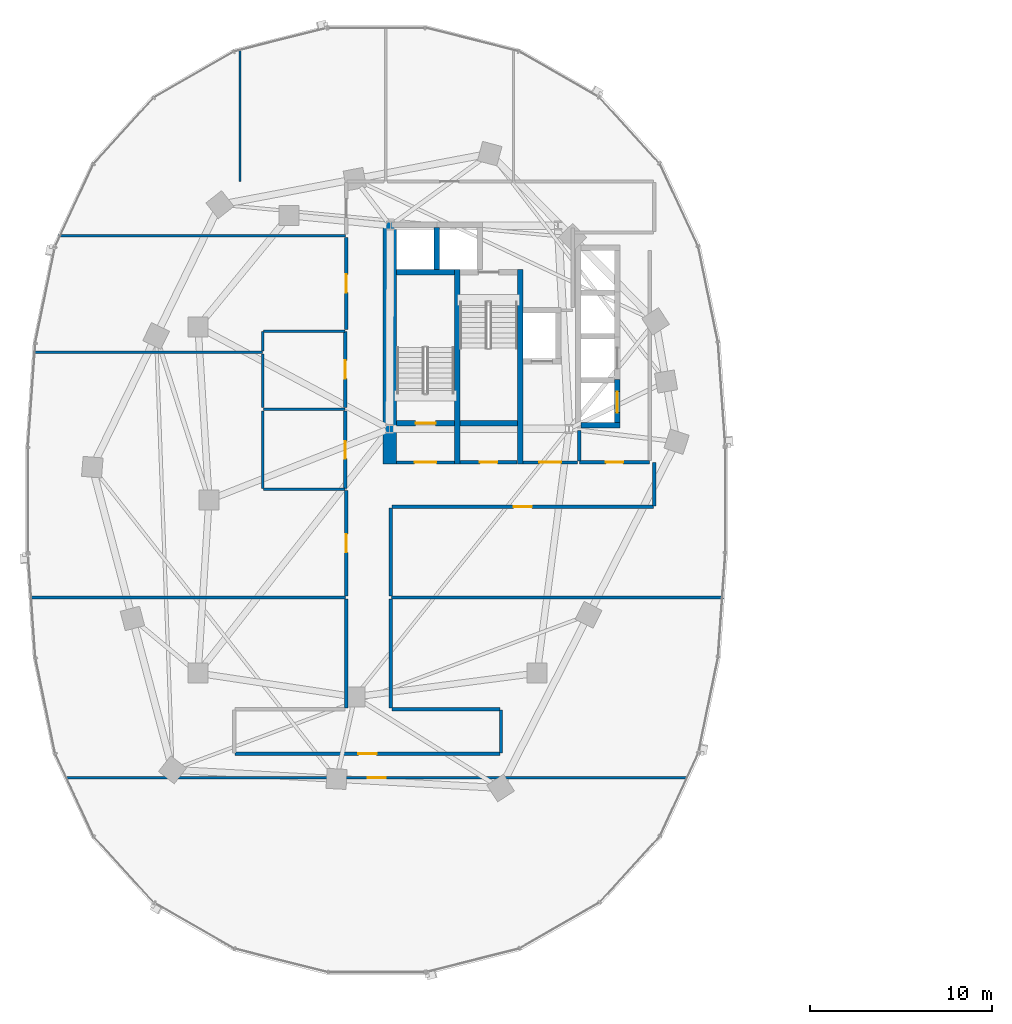
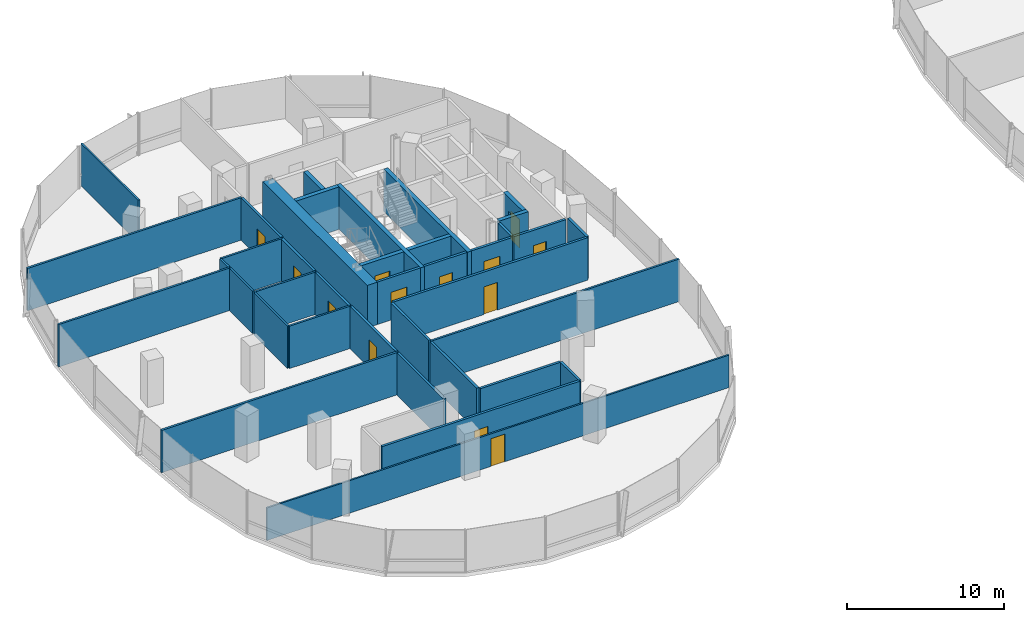
# One storey, part 11 of 21: 38 walls, 13 doors, 13 openings.
"""IFC4 building model written with IfcOpenShell, lengths in metres."""

from ifc_helpers import new_model, si_unit, direction, frame, frame_2d, origin, place, context, subcontext, project, spatial, rectangle, extrude, material, layer, layer_set, type_object, element, fill, save


model = new_model("IFC4")

# Units and contexts
model_context = context("Model", 3, precision=1e-05, world=origin(), true_north=direction((0.0, 1.0)))
body_context = subcontext(model_context, "Body", "Model", "MODEL_VIEW")
ifc_project = project(units=[si_unit("LENGTHUNIT", "METRE"), si_unit("AREAUNIT", "SQUARE_METRE"), si_unit("VOLUMEUNIT", "CUBIC_METRE"), si_unit("PLANEANGLEUNIT", "RADIAN"), si_unit("MASSUNIT", "GRAM", prefix="KILO"), si_unit("THERMODYNAMICTEMPERATUREUNIT", "KELVIN"), si_unit("POWERUNIT", "WATT")], contexts=[model_context])

# Site, building, storey
site_placement = place(None, origin())
site = spatial("IfcSite", under=ifc_project, at=site_placement, CompositionType="ELEMENT")
building_placement = place(site_placement, origin())
building = spatial("IfcBuilding", under=site, at=building_placement, Name="Cundina Bronze Exchange", CompositionType="ELEMENT")
storey_placement = place(building_placement, frame((0.0, 0.0, 121.39990234375)))
storey = spatial("IfcBuildingStorey", under=building, at=storey_placement, Name="L31", CompositionType="ELEMENT", Elevation=121.39990234375)

# Wall
ifc_material_1 = material(Name="Gypsum Fireboard Partition EI120")
ifc_layer_1 = layer(ifc_material_1, 0.179931640625, Name="Gypsum Fireboard Partition EI120")
ifc_layer_set_1 = layer_set([ifc_layer_1], Name="Gypsum Fireboard Partition EI120")
wall_type_1 = type_object("IfcWallType", Name="WL-COR-180", PredefinedType="PARTITIONING", material=ifc_layer_set_1)
wall_1_placement = place(storey_placement, frame((-20.889892578125, 2.14990234375, 0.0), z_axis=(0.0, 0.0, 1.0), x_axis=(0.0, 1.0, 0.0)))
element("IfcWall", 1, at=wall_1_placement, inside=storey, type_object=wall_type_1, Name="L31 W Firefighting Lobby Side Wall", PredefinedType="PARTITIONING", context=body_context, shape_type="SweptSolid", body=[
    extrude(rectangle(XDim=1.650146484375, YDim=0.179931640625, at=frame_2d((0.8251953125, 0.0))), origin(), (0.0, 0.0, 1.0), 3.300048828125),
])

# Wall, opening, door
wall_2_placement = place(storey_placement, frame((-23.97998046875, 2.06005859375, 0.0), z_axis=(0.0, 0.0, 1.0), x_axis=(1.0, 0.0, 0.0)))
wall_2 = element("IfcWall", 2, at=wall_2_placement, inside=storey, type_object=wall_type_1, Name="L31 W Firefighting Lobby Exit Wall", PredefinedType="PARTITIONING", context=body_context, shape_type="SweptSolid", body=[
    extrude(rectangle(XDim=3.0, YDim=0.179931640625, at=frame_2d((1.5, 0.0))), origin(), (0.0, 0.0, 1.0), 3.300048828125),
])
opening_1_placement = place(wall_2_placement, frame((0.89990234375, 0.0, 0.0)))
opening_1 = element("IfcOpeningElement", 3, at=opening_1_placement, cuts=wall_2, Name="Opening DF-01", PredefinedType="OPENING", context=body_context, shape_type="SweptSolid", body=[
    extrude(rectangle(XDim=1.199951171875, YDim=2.14990234375, at=frame_2d((0.60009765625, 1.074951171875))), frame((0.0, 0.099853515625, 0.0), z_axis=(0.0, -1.0, 0.0), x_axis=(1.0, 0.0, 0.0)), (0.0, 0.0, 1.0), 0.199951171875),
])
ifc_material_2 = material(Name="Steel ASTM A36 Painted", Category="steel")
door_type_1 = type_object("IfcDoorType", Name="DR-FFL-1200", OperationType="NOTDEFINED", PredefinedType="DOOR", material=ifc_material_2)
door_1_placement = place(opening_1_placement, origin())
door_1 = element("IfcDoor", 4, at=door_1_placement, inside=storey, type_object=door_type_1, Name="L31 W Firefighting Lobby Door", OperationType="SINGLE_SWING_RIGHT", OverallHeight=2.14990234375, OverallWidth=1.199951171875, PredefinedType="DOOR", context=body_context, shape_type="SweptSolid", body=[
    extrude(rectangle(XDim=1.199951171875, YDim=2.14990234375, at=frame_2d((0.60009765625, 1.074951171875))), frame((0.0, 0.02490234375, 0.0), z_axis=(0.0, -1.0, 0.0), x_axis=(1.0, 0.0, 0.0)), (0.0, 0.0, 1.0), 0.050048828125),
])
fill(opening_1, door_1)

wall_3_placement = place(storey_placement, frame((-30.89990234375, 2.06005859375, 0.0), z_axis=(0.0, 0.0, 1.0), x_axis=(1.0, 0.0, 0.0)))
wall_3 = element("IfcWall", 5, at=wall_3_placement, inside=storey, type_object=wall_type_1, Name="L31 W Stair Vestibule Exit Wall", PredefinedType="PARTITIONING", context=body_context, shape_type="SweptSolid", body=[
    extrude(rectangle(XDim=3.159912109375, YDim=0.179931640625, at=frame_2d((1.580078125, 0.0))), origin(), (0.0, 0.0, 1.0), 3.300048828125),
])
opening_2_placement = place(wall_3_placement, frame((0.97998046875, 0.0, 0.0)))
opening_2 = element("IfcOpeningElement", 6, at=opening_2_placement, cuts=wall_3, Name="Opening DF-01", PredefinedType="OPENING", context=body_context, shape_type="SweptSolid", body=[
    extrude(rectangle(XDim=1.199951171875, YDim=2.14990234375, at=frame_2d((0.60009765625, 1.074951171875))), frame((0.0, 0.099853515625, 0.0), z_axis=(0.0, -1.0, 0.0), x_axis=(1.0, 0.0, 0.0)), (0.0, 0.0, 1.0), 0.199951171875),
])
door_2_placement = place(opening_2_placement, origin())
door_2 = element("IfcDoor", 7, at=door_2_placement, inside=storey, type_object=door_type_1, Name="L31 W Stair Vestibule Door", OperationType="SINGLE_SWING_LEFT", OverallHeight=2.14990234375, OverallWidth=1.199951171875, PredefinedType="DOOR", context=body_context, shape_type="SweptSolid", body=[
    extrude(rectangle(XDim=1.199951171875, YDim=2.14990234375, at=frame_2d((0.60009765625, 1.074951171875))), frame((0.0, 0.02490234375, 0.0), z_axis=(0.0, -1.0, 0.0), x_axis=(1.0, 0.0, 0.0)), (0.0, 0.0, 1.0), 0.050048828125),
])
fill(opening_2, door_2)

wall_4_placement = place(storey_placement, frame((-20.8701171875, 2.070068359375, 0.0), z_axis=(0.0, 0.0, 1.0), x_axis=(1.0, 0.0, 0.0)))
wall_4 = element("IfcWall", 8, at=wall_4_placement, inside=storey, type_object=wall_type_1, Name="L31 Interior Partition 002", PredefinedType="PARTITIONING", context=body_context, shape_type="SweptSolid", body=[
    extrude(rectangle(XDim=3.830078125, YDim=0.179931640625, at=frame_2d((1.9150390625, 0.0))), origin(), (0.0, 0.0, 1.0), 3.300048828125),
])
opening_3_placement = place(wall_4_placement, frame((1.43994140625, 0.0, 0.0)))
opening_3 = element("IfcOpeningElement", 9, at=opening_3_placement, cuts=wall_4, Name="Opening DW-01", PredefinedType="OPENING", context=body_context, shape_type="SweptSolid", body=[
    extrude(rectangle(XDim=0.949951171875, YDim=2.10009765625, at=frame_2d((0.47509765625, 1.050048828125))), frame((0.0, 0.099853515625, 0.0), z_axis=(0.0, -1.0, 0.0), x_axis=(1.0, 0.0, 0.0)), (0.0, 0.0, 1.0), 0.199951171875),
])
ifc_material_3 = material(Name="Solid Andean Oak Timber Grade A", Category="wood")
door_type_2 = type_object("IfcDoorType", Name="DR-WC-950", OperationType="NOTDEFINED", PredefinedType="DOOR", material=ifc_material_3)
door_3_placement = place(opening_3_placement, origin())
door_3 = element("IfcDoor", 10, at=door_3_placement, inside=storey, type_object=door_type_2, Name="L31 Interior Door 002", OperationType="SINGLE_SWING_LEFT", OverallHeight=2.10009765625, OverallWidth=0.949951171875, PredefinedType="DOOR", context=body_context, shape_type="SweptSolid", body=[
    extrude(rectangle(XDim=0.949951171875, YDim=2.10009765625, at=frame_2d((0.47509765625, 1.050048828125))), frame((0.0, 0.02490234375, 0.0), z_axis=(0.0, -1.0, 0.0), x_axis=(1.0, 0.0, 0.0)), (0.0, 0.0, 1.0), 0.050048828125),
])
fill(opening_3, door_3)

wall_5_placement = place(storey_placement, frame((-27.419921875, 2.070068359375, 0.0), z_axis=(0.0, 0.0, 1.0), x_axis=(1.0, 0.0, 0.0)))
wall_5 = element("IfcWall", 11, at=wall_5_placement, inside=storey, type_object=wall_type_1, Name="L31 Interior Partition 005", PredefinedType="PARTITIONING", context=body_context, shape_type="SweptSolid", body=[
    extrude(rectangle(XDim=3.119873046875, YDim=0.179931640625, at=frame_2d((1.56005859375, 0.0))), origin(), (0.0, 0.0, 1.0), 3.300048828125),
])
opening_4_placement = place(wall_5_placement, frame((1.0849609375, 0.0, 0.0)))
opening_4 = element("IfcOpeningElement", 12, at=opening_4_placement, cuts=wall_5, Name="Opening DW-01", PredefinedType="OPENING", context=body_context, shape_type="SweptSolid", body=[
    extrude(rectangle(XDim=0.949951171875, YDim=2.10009765625, at=frame_2d((0.47509765625, 1.050048828125))), frame((0.0, 0.099853515625, 0.0), z_axis=(0.0, -1.0, 0.0), x_axis=(1.0, 0.0, 0.0)), (0.0, 0.0, 1.0), 0.199951171875),
])
door_4_placement = place(opening_4_placement, origin())
door_4 = element("IfcDoor", 13, at=door_4_placement, inside=storey, type_object=door_type_2, Name="L31 Interior Door 005", OperationType="SINGLE_SWING_RIGHT", OverallHeight=2.10009765625, OverallWidth=0.949951171875, PredefinedType="DOOR", context=body_context, shape_type="SweptSolid", body=[
    extrude(rectangle(XDim=0.949951171875, YDim=2.10009765625, at=frame_2d((0.47509765625, 1.050048828125))), frame((0.0, 0.02490234375, 0.0), z_axis=(0.0, -1.0, 0.0), x_axis=(1.0, 0.0, 0.0)), (0.0, 0.0, 1.0), 0.050048828125),
])
fill(opening_4, door_4)

wall_6_placement = place(storey_placement, frame((-33.719970703125, 0.6201171875, 0.0), z_axis=(0.0, 0.0, 1.0), x_axis=(0.0, 1.0, 0.0)))
wall_6 = element("IfcWall", 14, at=wall_6_placement, inside=storey, type_object=wall_type_1, Name="L31 Interior Partition 012", PredefinedType="PARTITIONING", context=body_context, shape_type="SweptSolid", body=[
    extrude(rectangle(XDim=4.259765625, YDim=0.179931640625, at=frame_2d((2.1298828125, 0.0))), origin(), (0.0, 0.0, 1.0), 3.300048828125),
])
opening_5_placement = place(wall_6_placement, frame((1.655029296875, 0.0, 0.0)))
opening_5 = element("IfcOpeningElement", 15, at=opening_5_placement, cuts=wall_6, Name="Opening DW-01", PredefinedType="OPENING", context=body_context, shape_type="SweptSolid", body=[
    extrude(rectangle(XDim=0.949951171875, YDim=2.10009765625, at=frame_2d((0.47509765625, 1.050048828125))), frame((0.0, 0.099853515625, 0.0), z_axis=(0.0, -1.0, 0.0), x_axis=(1.0, 0.0, 0.0)), (0.0, 0.0, 1.0), 0.199951171875),
])
door_5_placement = place(opening_5_placement, origin())
door_5 = element("IfcDoor", 16, at=door_5_placement, inside=storey, type_object=door_type_2, Name="L31 Interior Door 012", OperationType="SINGLE_SWING_LEFT", OverallHeight=2.10009765625, OverallWidth=0.949951171875, PredefinedType="DOOR", context=body_context, shape_type="SweptSolid", body=[
    extrude(rectangle(XDim=0.949951171875, YDim=2.10009765625, at=frame_2d((0.47509765625, 1.050048828125))), frame((0.0, 0.02490234375, 0.0), z_axis=(0.0, -1.0, 0.0), x_axis=(1.0, 0.0, 0.0)), (0.0, 0.0, 1.0), 0.050048828125),
])
fill(opening_5, door_5)

wall_7_placement = place(storey_placement, frame((-33.719970703125, 5.080078125, 0.0), z_axis=(0.0, 0.0, 1.0), x_axis=(0.0, 1.0, 0.0)))
wall_7 = element("IfcWall", 17, at=wall_7_placement, inside=storey, type_object=wall_type_1, Name="L31 Interior Partition 013", PredefinedType="PARTITIONING", context=body_context, shape_type="SweptSolid", body=[
    extrude(rectangle(XDim=4.159912109375, YDim=0.179931640625, at=frame_2d((2.080078125, 0.0))), origin(), (0.0, 0.0, 1.0), 3.300048828125),
])
opening_6_placement = place(wall_7_placement, frame((1.580078125, 0.0, 0.0)))
opening_6 = element("IfcOpeningElement", 18, at=opening_6_placement, cuts=wall_7, Name="Opening DO-01", PredefinedType="OPENING", context=body_context, shape_type="SweptSolid", body=[
    extrude(rectangle(XDim=1.0, YDim=2.14990234375, at=frame_2d((0.5, 1.074951171875))), frame((0.0, 0.099853515625, 0.0), z_axis=(0.0, -1.0, 0.0), x_axis=(1.0, 0.0, 0.0)), (0.0, 0.0, 1.0), 0.199951171875),
])
door_type_3 = type_object("IfcDoorType", Name="DR-OFF-1000", OperationType="NOTDEFINED", PredefinedType="DOOR", material=ifc_material_3)
door_6_placement = place(opening_6_placement, origin())
door_6 = element("IfcDoor", 19, at=door_6_placement, inside=storey, type_object=door_type_3, Name="L31 Interior Door 013", OperationType="SINGLE_SWING_LEFT", OverallHeight=2.14990234375, OverallWidth=1.0, PredefinedType="DOOR", context=body_context, shape_type="SweptSolid", body=[
    extrude(rectangle(XDim=1.0, YDim=2.14990234375, at=frame_2d((0.5, 1.074951171875))), frame((0.0, 0.02490234375, 0.0), z_axis=(0.0, -1.0, 0.0), x_axis=(1.0, 0.0, 0.0)), (0.0, 0.0, 1.0), 0.050048828125),
])
fill(opening_6, door_6)

wall_8_placement = place(storey_placement, frame((-39.778564453125, -13.919921875, 0.0), z_axis=(0.0, 0.0, 1.0), x_axis=(1.0, 0.0, 0.0)))
wall_8 = element("IfcWall", 20, at=wall_8_placement, inside=storey, type_object=wall_type_1, Name="L31 Interior Partition 021", PredefinedType="PARTITIONING", context=body_context, shape_type="SweptSolid", body=[
    extrude(rectangle(XDim=14.55712890625, YDim=0.179931640625, at=frame_2d((7.278564453125, 0.0))), origin(), (0.0, 0.0, 1.0), 3.300048828125),
])
opening_7_placement = place(wall_8_placement, frame((6.778564453125, 0.0, 0.0)))
opening_7 = element("IfcOpeningElement", 21, at=opening_7_placement, cuts=wall_8, Name="Opening DO-01", PredefinedType="OPENING", context=body_context, shape_type="SweptSolid", body=[
    extrude(rectangle(XDim=1.0, YDim=2.14990234375, at=frame_2d((0.5, 1.074951171875))), frame((0.0, 0.099853515625, 0.0), z_axis=(0.0, -1.0, 0.0), x_axis=(1.0, 0.0, 0.0)), (0.0, 0.0, 1.0), 0.199951171875),
])
door_7_placement = place(opening_7_placement, origin())
door_7 = element("IfcDoor", 22, at=door_7_placement, inside=storey, type_object=door_type_3, Name="L31 Interior Door 021", OperationType="SINGLE_SWING_RIGHT", OverallHeight=2.14990234375, OverallWidth=1.0, PredefinedType="DOOR", context=body_context, shape_type="SweptSolid", body=[
    extrude(rectangle(XDim=1.0, YDim=2.14990234375, at=frame_2d((0.5, 1.074951171875))), frame((0.0, 0.02490234375, 0.0), z_axis=(0.0, -1.0, 0.0), x_axis=(1.0, 0.0, 0.0)), (0.0, 0.0, 1.0), 0.050048828125),
])
fill(opening_7, door_7)

# Walls
for number, where, z_axis, x_axis, name in (
    (23, (-33.669921875, -5.43994140625, 0.0), (0.0, 0.0, 1.0), (0.0, -1.0, 0.0), "L31 Interior Partition 023"),
    (24, (-31.22998046875, -11.39990234375, 0.0), (0.0, 0.0, 1.0), (0.0, 1.0, 0.0), "L31 Interior Partition 024"),
):
    element("IfcWall", number, at=place(storey_placement, frame(where, z_axis=z_axis, x_axis=x_axis)), inside=storey, type_object=wall_type_1, Name=name, PredefinedType="PARTITIONING", context=body_context, shape_type="SweptSolid", body=[
        extrude(rectangle(XDim=5.9599609375, YDim=0.179931640625, at=frame_2d((2.97998046875, 0.0))), origin(), (0.0, 0.0, 1.0), 3.300048828125),
    ])
wall_9_placement = place(storey_placement, frame((-25.221435546875, -11.47998046875, 0.0), z_axis=(0.0, 0.0, 1.0), x_axis=(-1.0, 0.0, 0.0)))
element("IfcWall", 25, at=wall_9_placement, inside=storey, type_object=wall_type_1, Name="L31 Interior Partition 025", PredefinedType="PARTITIONING", context=body_context, shape_type="SweptSolid", body=[
    extrude(rectangle(XDim=5.928466796875, YDim=0.179931640625, at=frame_2d((2.96435546875, 0.0))), origin(), (0.0, 0.0, 1.0), 3.300048828125),
])
wall_10_placement = place(storey_placement, frame((-25.179931640625, -13.87841796875, 0.0), z_axis=(0.0, 0.0, 1.0), x_axis=(0.0, 1.0, 0.0)))
element("IfcWall", 26, at=wall_10_placement, inside=storey, type_object=wall_type_1, Name="L31 Interior Partition 027", PredefinedType="PARTITIONING", context=body_context, shape_type="SweptSolid", body=[
    extrude(rectangle(XDim=2.35693359375, YDim=0.179931640625, at=frame_2d((1.178466796875, 0.0))), origin(), (0.0, 0.0, 1.0), 3.300048828125),
])

# Wall, opening, door
wall_11_placement = place(storey_placement, frame((-33.669921875, 0.508544921875, 0.0), z_axis=(0.0, 0.0, 1.0), x_axis=(0.0, -1.0, 0.0)))
wall_11 = element("IfcWall", 27, at=wall_11_placement, inside=storey, type_object=wall_type_1, Name="L31 Interior Partition 028", PredefinedType="PARTITIONING", context=body_context, shape_type="SweptSolid", body=[
    extrude(rectangle(XDim=5.7685546875, YDim=0.179931640625, at=frame_2d((2.88427734375, 0.0))), origin(), (0.0, 0.0, 1.0), 3.300048828125),
])
opening_8_placement = place(wall_11_placement, frame((2.38427734375, 0.0, 0.0)))
opening_8 = element("IfcOpeningElement", 28, at=opening_8_placement, cuts=wall_11, Name="Opening DO-01", PredefinedType="OPENING", context=body_context, shape_type="SweptSolid", body=[
    extrude(rectangle(XDim=1.0, YDim=2.14990234375, at=frame_2d((0.5, 1.074951171875))), frame((0.0, 0.099853515625, 0.0), z_axis=(0.0, -1.0, 0.0), x_axis=(1.0, 0.0, 0.0)), (0.0, 0.0, 1.0), 0.199951171875),
])
door_8_placement = place(opening_8_placement, origin())
door_8 = element("IfcDoor", 29, at=door_8_placement, inside=storey, type_object=door_type_3, Name="L31 Interior Door 028", OperationType="SINGLE_SWING_LEFT", OverallHeight=2.14990234375, OverallWidth=1.0, PredefinedType="DOOR", context=body_context, shape_type="SweptSolid", body=[
    extrude(rectangle(XDim=1.0, YDim=2.14990234375, at=frame_2d((0.5, 1.074951171875))), frame((0.0, 0.02490234375, 0.0), z_axis=(0.0, -1.0, 0.0), x_axis=(1.0, 0.0, 0.0)), (0.0, 0.0, 1.0), 0.050048828125),
])
fill(opening_8, door_8)

wall_12_placement = place(storey_placement, frame((-31.14990234375, -0.3701171875, 0.0), z_axis=(0.0, 0.0, 1.0), x_axis=(1.0, 0.0, 0.0)))
wall_12 = element("IfcWall", 30, at=wall_12_placement, inside=storey, type_object=wall_type_1, Name="L31 Interior Partition 029", PredefinedType="PARTITIONING", context=body_context, shape_type="SweptSolid", body=[
    extrude(rectangle(XDim=14.328369140625, YDim=0.179931640625, at=frame_2d((7.1640625, 0.0))), origin(), (0.0, 0.0, 1.0), 3.300048828125),
])
opening_9_placement = place(wall_12_placement, frame((6.664306640625, 0.0, 0.0)))
opening_9 = element("IfcOpeningElement", 31, at=opening_9_placement, cuts=wall_12, Name="Opening DO-01", PredefinedType="OPENING", context=body_context, shape_type="SweptSolid", body=[
    extrude(rectangle(XDim=1.0, YDim=2.14990234375, at=frame_2d((0.5, 1.074951171875))), frame((0.0, 0.099853515625, 0.0), z_axis=(0.0, -1.0, 0.0), x_axis=(1.0, 0.0, 0.0)), (0.0, 0.0, 1.0), 0.199951171875),
])
door_9_placement = place(opening_9_placement, origin())
door_9 = element("IfcDoor", 32, at=door_9_placement, inside=storey, type_object=door_type_3, Name="L31 Interior Door 029", OperationType="SINGLE_SWING_RIGHT", OverallHeight=2.14990234375, OverallWidth=1.0, PredefinedType="DOOR", context=body_context, shape_type="SweptSolid", body=[
    extrude(rectangle(XDim=1.0, YDim=2.14990234375, at=frame_2d((0.5, 1.074951171875))), frame((0.0, 0.02490234375, 0.0), z_axis=(0.0, -1.0, 0.0), x_axis=(1.0, 0.0, 0.0)), (0.0, 0.0, 1.0), 0.050048828125),
])
fill(opening_9, door_9)

# Walls
wall_13_placement = place(storey_placement, frame((-31.22998046875, -5.260009765625, 0.0), z_axis=(0.0, 0.0, 1.0), x_axis=(0.0, 1.0, 0.0)))
element("IfcWall", 33, at=wall_13_placement, inside=storey, type_object=wall_type_1, Name="L31 Interior Partition 031", PredefinedType="PARTITIONING", context=body_context, shape_type="SweptSolid", body=[
    extrude(rectangle(XDim=4.81005859375, YDim=0.179931640625, at=frame_2d((2.405029296875, 0.0))), origin(), (0.0, 0.0, 1.0), 3.300048828125),
])
wall_14_placement = place(storey_placement, frame((-16.780029296875, -0.32861328125, 0.0), z_axis=(0.0, 0.0, 1.0), x_axis=(0.0, 1.0, 0.0)))
element("IfcWall", 34, at=wall_14_placement, inside=storey, type_object=wall_type_1, Name="L31 Interior Partition 034", PredefinedType="PARTITIONING", context=body_context, shape_type="SweptSolid", body=[
    extrude(rectangle(XDim=2.38720703125, YDim=0.179931640625, at=frame_2d((1.193603515625, 0.0))), origin(), (0.0, 0.0, 1.0), 3.300048828125),
])

# Wall, opening, door
wall_15_placement = place(storey_placement, frame((-33.669921875, 14.409912109375, 0.0), z_axis=(0.0, 0.0, 1.0), x_axis=(0.0, -1.0, 0.0)))
wall_15 = element("IfcWall", 35, at=wall_15_placement, inside=storey, type_object=wall_type_1, Name="L31 Interior Partition 035", PredefinedType="PARTITIONING", context=body_context, shape_type="SweptSolid", body=[
    extrude(rectangle(XDim=5.05859375, YDim=0.179931640625, at=frame_2d((2.529296875, 0.0))), origin(), (0.0, 0.0, 1.0), 3.300048828125),
])
opening_10_placement = place(wall_15_placement, frame((2.029296875, 0.0, 0.0)))
opening_10 = element("IfcOpeningElement", 36, at=opening_10_placement, cuts=wall_15, Name="Opening DO-01", PredefinedType="OPENING", context=body_context, shape_type="SweptSolid", body=[
    extrude(rectangle(XDim=1.0, YDim=2.14990234375, at=frame_2d((0.5, 1.074951171875))), frame((0.0, 0.099853515625, 0.0), z_axis=(0.0, -1.0, 0.0), x_axis=(1.0, 0.0, 0.0)), (0.0, 0.0, 1.0), 0.199951171875),
])
door_10_placement = place(opening_10_placement, origin())
door_10 = element("IfcDoor", 37, at=door_10_placement, inside=storey, type_object=door_type_3, Name="L31 Interior Door 035", OperationType="SINGLE_SWING_LEFT", OverallHeight=2.14990234375, OverallWidth=1.0, PredefinedType="DOOR", context=body_context, shape_type="SweptSolid", body=[
    extrude(rectangle(XDim=1.0, YDim=2.14990234375, at=frame_2d((0.5, 1.074951171875))), frame((0.0, 0.02490234375, 0.0), z_axis=(0.0, -1.0, 0.0), x_axis=(1.0, 0.0, 0.0)), (0.0, 0.0, 1.0), 0.050048828125),
])
fill(opening_10, door_10)

# Walls
ifc_material_4 = material(Name="Concrete C60/75", Category="concrete")
ifc_layer_2 = layer(ifc_material_4, 0.75, Name="Concrete C60/75", Category="concrete")
ifc_layer_set_2 = layer_set([ifc_layer_2], Name="Concrete C60/75")
wall_type_2 = type_object("IfcWallType", Name="WL-CORE-750", PredefinedType="SHEAR", material=ifc_layer_set_2)
wall_16_placement = place(storey_placement, frame((-31.27490234375, 1.969970703125, 0.0), z_axis=(0.0, 0.0, 1.0), x_axis=(0.0, 1.0, 0.0)))
element("IfcWall", 38, at=wall_16_placement, inside=storey, type_object=wall_type_2, Name="L31 W Primary Core Shear Spine Wall", PredefinedType="SHEAR", context=body_context, shape_type="SweptSolid", body=[
    extrude(rectangle(XDim=13.330078125, YDim=0.75, at=frame_2d((6.6650390625, 0.0))), origin(), (0.0, 0.0, 1.0), 3.300048828125),
])
ifc_material_5 = material(Name="Gypsum Acoustic Partition EI60")
ifc_layer_3 = layer(ifc_material_5, 0.125, Name="Gypsum Acoustic Partition EI60")
ifc_layer_set_3 = layer_set([ifc_layer_3], Name="Gypsum Acoustic Partition EI60")
wall_type_3 = type_object("IfcWallType", Name="WL-OFF-125", PredefinedType="PARTITIONING", material=ifc_layer_set_3)
wall_17_placement = place(storey_placement, frame((-39.5, 17.469970703125, 0.0), z_axis=(0.0, 0.0, 1.0), x_axis=(0.0, 1.0, 0.0)))
element("IfcWall", 39, at=wall_17_placement, inside=storey, type_object=wall_type_3, Name="L31 Interior Partition 018", PredefinedType="PARTITIONING", context=body_context, shape_type="SweptSolid", body=[
    extrude(rectangle(XDim=7.30224609375, YDim=0.125, at=frame_2d((3.651123046875, 0.0))), origin(), (0.0, 0.0, 1.0), 3.300048828125),
])

# Wall, opening, door
wall_18_placement = place(storey_placement, frame((-49.005126953125, -15.22998046875, 0.0), z_axis=(0.0, 0.0, 1.0), x_axis=(1.0, 0.0, 0.0)))
wall_18 = element("IfcWall", 40, at=wall_18_placement, inside=storey, type_object=wall_type_3, Name="L31 Interior Partition 039", PredefinedType="PARTITIONING", context=body_context, shape_type="SweptSolid", body=[
    extrude(rectangle(XDim=34.01025390625, YDim=0.125, at=frame_2d((17.005126953125, 0.0))), origin(), (0.0, 0.0, 1.0), 2.527099609375),
])
opening_11_placement = place(wall_18_placement, frame((16.505126953125, 0.0, 0.0)))
opening_11 = element("IfcOpeningElement", 41, at=opening_11_placement, cuts=wall_18, Name="Opening DO-01", PredefinedType="OPENING", context=body_context, shape_type="SweptSolid", body=[
    extrude(rectangle(XDim=1.0, YDim=2.14990234375, at=frame_2d((0.5, 1.074951171875))), frame((0.0, 0.072509765625, 0.0), z_axis=(0.0, -1.0, 0.0), x_axis=(1.0, 0.0, 0.0)), (0.0, 0.0, 1.0), 0.14501953125),
])
door_11_placement = place(opening_11_placement, origin())
door_11 = element("IfcDoor", 42, at=door_11_placement, inside=storey, type_object=door_type_3, Name="L31 Interior Door 039", OperationType="SINGLE_SWING_RIGHT", OverallHeight=2.14990234375, OverallWidth=1.0, PredefinedType="DOOR", context=body_context, shape_type="SweptSolid", body=[
    extrude(rectangle(XDim=1.0, YDim=2.14990234375, at=frame_2d((0.5, 1.074951171875))), frame((0.0, 0.02490234375, 0.0), z_axis=(0.0, -1.0, 0.0), x_axis=(1.0, 0.0, 0.0)), (0.0, 0.0, 1.0), 0.050048828125),
])
fill(opening_11, door_11)

# Walls
ifc_material_6 = material(Name="Concrete C50/60", Category="concrete")
ifc_layer_4 = layer(ifc_material_6, 0.300048828125, Name="Concrete C50/60", Category="concrete")
ifc_layer_set_4 = layer_set([ifc_layer_4], Name="Concrete C50/60")
wall_type_4 = type_object("IfcWallType", Name="WL-SHFT-300", PredefinedType="SHEAR", material=ifc_layer_set_4)
for number, where, z_axis, x_axis, name in (
    (43, (-27.590087890625, 1.969970703125, 0.0), (0.0, 0.0, 1.0), (0.0, 1.0, 0.0), "L31 W Stair Shaft Dividing Shear Wall"),
    (44, (-24.1298828125, 1.969970703125, 0.0), (0.0, 0.0, 1.0), (0.0, 1.0, 0.0), "L31 W Stair 2 East Shear Wall"),
):
    element("IfcWall", number, at=place(storey_placement, frame(where, z_axis=z_axis, x_axis=x_axis)), inside=storey, type_object=wall_type_4, Name=name, PredefinedType="SHEAR", context=body_context, shape_type="SweptSolid", body=[
        extrude(rectangle(XDim=10.679931640625, YDim=0.300048828125, at=frame_2d((5.33984375, 0.0))), origin(), (0.0, 0.0, 1.0), 3.300048828125),
    ])

# Wall, opening, door
wall_19_placement = place(storey_placement, frame((-30.89990234375, 4.199951171875, 0.0), z_axis=(0.0, 0.0, 1.0), x_axis=(1.0, 0.0, 0.0)))
wall_19 = element("IfcWall", 45, at=wall_19_placement, inside=storey, type_object=wall_type_4, Name="L31 Stair W1 Landing Wall", PredefinedType="SHEAR", context=body_context, shape_type="SweptSolid", body=[
    extrude(rectangle(XDim=3.159912109375, YDim=0.300048828125, at=frame_2d((1.580078125, 0.0))), origin(), (0.0, 0.0, 1.0), 3.300048828125),
])
opening_12_placement = place(wall_19_placement, frame((1.030029296875, 0.0, 0.0)))
opening_12 = element("IfcOpeningElement", 46, at=opening_12_placement, cuts=wall_19, Name="Opening DS-01", PredefinedType="OPENING", context=body_context, shape_type="SweptSolid", body=[
    extrude(rectangle(XDim=1.10009765625, YDim=2.14990234375, at=frame_2d((0.550048828125, 1.074951171875))), frame((0.0, 0.159912109375, 0.0), z_axis=(0.0, -1.0, 0.0), x_axis=(1.0, 0.0, 0.0)), (0.0, 0.0, 1.0), 0.320068359375),
])
door_type_4 = type_object("IfcDoorType", Name="DR-STR-1100", OperationType="NOTDEFINED", PredefinedType="DOOR", material=ifc_material_2)
door_12_placement = place(opening_12_placement, origin())
door_12 = element("IfcDoor", 47, at=door_12_placement, inside=storey, type_object=door_type_4, Name="L31 Smokeproof Stair W1 Door", OperationType="SINGLE_SWING_RIGHT", OverallHeight=2.14990234375, OverallWidth=1.10009765625, PredefinedType="DOOR", context=body_context, shape_type="SweptSolid", body=[
    extrude(rectangle(XDim=1.10009765625, YDim=2.14990234375, at=frame_2d((0.550048828125, 1.074951171875))), frame((0.0, 0.02490234375, 0.0), z_axis=(0.0, -1.0, 0.0), x_axis=(1.0, 0.0, 0.0)), (0.0, 0.0, 1.0), 0.050048828125),
])
fill(opening_12, door_12)

# Walls
for number, where, z_axis, x_axis, name in (
    (48, (-30.89990234375, 12.5, 0.0), (0.0, 0.0, 1.0), (1.0, 0.0, 0.0), "L31 Stair W1 Far Shaft Wall"),
    (49, (-27.43994140625, 4.199951171875, 0.0), (0.0, 0.0, 1.0), (1.0, 0.0, 0.0), "L31 Stair W2 Far Shaft Wall"),
):
    element("IfcWall", number, at=place(storey_placement, frame(where, z_axis=z_axis, x_axis=x_axis)), inside=storey, type_object=wall_type_4, Name=name, PredefinedType="SHEAR", context=body_context, shape_type="SweptSolid", body=[
        extrude(rectangle(XDim=3.159912109375, YDim=0.300048828125, at=frame_2d((1.580078125, 0.0))), origin(), (0.0, 0.0, 1.0), 3.300048828125),
    ])
wall_20_placement = place(storey_placement, frame((-28.699951171875, 12.64990234375, 0.0), z_axis=(0.0, 0.0, 1.0), x_axis=(0.0, 1.0, 0.0)))
element("IfcWall", 50, at=wall_20_placement, inside=storey, type_object=wall_type_4, Name="L31 PH-W1 Hoistway Divider Wall", PredefinedType="SHEAR", context=body_context, shape_type="SweptSolid", body=[
    extrude(rectangle(XDim=2.300048828125, YDim=0.300048828125, at=frame_2d((1.14990234375, 0.0))), origin(), (0.0, 0.0, 1.0), 3.300048828125),
])
wall_21_placement = place(storey_placement, frame((-20.800048828125, 4.10009765625, 0.0), z_axis=(0.0, 0.0, 1.0), x_axis=(1.0, 0.0, 0.0)))
element("IfcWall", 51, at=wall_21_placement, inside=storey, type_object=wall_type_4, Name="L31 W Passenger Bank South Cap Wall", PredefinedType="SHEAR", context=body_context, shape_type="SweptSolid", body=[
    extrude(rectangle(XDim=2.150146484375, YDim=0.300048828125, at=frame_2d((1.0751953125, 0.0))), origin(), (0.0, 0.0, 1.0), 3.300048828125),
])

# Wall, opening, door
wall_22_placement = place(storey_placement, frame((-18.800048828125, 4.1298828125, 0.0), z_axis=(0.0, 0.0, 1.0), x_axis=(0.0, 1.0, 0.0)))
wall_22 = element("IfcWall", 52, at=wall_22_placement, inside=storey, type_object=wall_type_4, Name="L31 PL-W2 Hoistway Front Wall", PredefinedType="SHEAR", context=body_context, shape_type="SweptSolid", body=[
    extrude(rectangle(XDim=2.490234375, YDim=0.300048828125, at=frame_2d((1.2451171875, 0.0))), origin(), (0.0, 0.0, 1.0), 3.300048828125),
])
opening_13_placement = place(wall_22_placement, frame((0.669921875, 0.0, 0.0)))
opening_13 = element("IfcOpeningElement", 53, at=opening_13_placement, cuts=wall_22, Name="Opening LD-01", PredefinedType="OPENING", context=body_context, shape_type="SweptSolid", body=[
    extrude(rectangle(XDim=1.14990234375, YDim=2.199951171875, at=frame_2d((0.574951171875, 1.10009765625))), frame((0.0, 0.159912109375, 0.0), z_axis=(0.0, -1.0, 0.0), x_axis=(1.0, 0.0, 0.0)), (0.0, 0.0, 1.0), 0.320068359375),
])
door_type_5 = type_object("IfcDoorType", Name="DR-LND-1150", OperationType="NOTDEFINED", PredefinedType="TRAPDOOR", material=ifc_material_2)
door_13_placement = place(opening_13_placement, origin())
door_13 = element("IfcDoor", 54, at=door_13_placement, inside=storey, type_object=door_type_5, Name="L31 PL-W2 Sliding Landing Door", OperationType="SLIDING_TO_LEFT", OverallHeight=2.199951171875, OverallWidth=1.14990234375, PredefinedType="TRAPDOOR", context=body_context, shape_type="SweptSolid", body=[
    extrude(rectangle(XDim=1.14990234375, YDim=2.199951171875, at=frame_2d((0.574951171875, 1.10009765625))), frame((0.0, 0.02490234375, 0.0), z_axis=(0.0, -1.0, 0.0), x_axis=(1.0, 0.0, 0.0)), (0.0, 0.0, 1.0), 0.050048828125),
])
fill(opening_13, door_13)

# Walls
ifc_layer_5 = layer(ifc_material_5, 0.14990234375, Name="Gypsum Acoustic Partition EI60")
ifc_layer_set_5 = layer_set([ifc_layer_5], Name="Gypsum Acoustic Partition EI60")
wall_type_5 = type_object("IfcWallType", Name="WL-TEN-150", PredefinedType="PARTITIONING", material=ifc_layer_set_5)
wall_23_placement = place(storey_placement, frame((-51.03759765625, -5.35009765625, 0.0), z_axis=(0.0, 0.0, 1.0), x_axis=(1.0, 0.0, 0.0)))
element("IfcWall", 55, at=wall_23_placement, inside=storey, type_object=wall_type_5, Name="L31 Interior Partition 014", PredefinedType="PARTITIONING", context=body_context, shape_type="SweptSolid", body=[
    extrude(rectangle(XDim=17.337646484375, YDim=0.14990234375, at=frame_2d((8.6689453125, 0.0))), origin(), (0.0, 0.0, 1.0), 3.300048828125),
])
wall_24_placement = place(storey_placement, frame((-31.199951171875, -5.35009765625, 0.0), z_axis=(0.0, 0.0, 1.0), x_axis=(1.0, 0.0, 0.0)))
element("IfcWall", 56, at=wall_24_placement, inside=storey, type_object=wall_type_5, Name="L31 Interior Partition 015", PredefinedType="PARTITIONING", context=body_context, shape_type="SweptSolid", body=[
    extrude(rectangle(XDim=18.237548828125, YDim=0.14990234375, at=frame_2d((9.11865234375, 0.0))), origin(), (0.0, 0.0, 1.0), 3.300048828125),
])
wall_25_placement = place(storey_placement, frame((-50.843994140625, 8.10009765625, 0.0), z_axis=(0.0, 0.0, 1.0), x_axis=(1.0, 0.0, 0.0)))
element("IfcWall", 57, at=wall_25_placement, inside=storey, type_object=wall_type_5, Name="L31 Interior Partition 016", PredefinedType="PARTITIONING", context=body_context, shape_type="SweptSolid", body=[
    extrude(rectangle(XDim=12.573974609375, YDim=0.14990234375, at=frame_2d((6.287109375, 0.0))), origin(), (0.0, 0.0, 1.0), 3.300048828125),
])
wall_26_placement = place(storey_placement, frame((-49.45458984375, 14.5, 0.0), z_axis=(0.0, 0.0, 1.0), x_axis=(1.0, 0.0, 0.0)))
element("IfcWall", 58, at=wall_26_placement, inside=storey, type_object=wall_type_5, Name="L31 Interior Partition 017", PredefinedType="PARTITIONING", context=body_context, shape_type="SweptSolid", body=[
    extrude(rectangle(XDim=15.754638671875, YDim=0.14990234375, at=frame_2d((7.87744140625, 0.0))), origin(), (0.0, 0.0, 1.0), 3.300048828125),
])
ifc_material_7 = material(Name="Moisture-Resistant Masonry Block Grade M15", Category="masonry")
ifc_layer_6 = layer(ifc_material_7, 0.139892578125, Name="Moisture-Resistant Masonry Block Grade M15", Category="masonry")
ifc_layer_set_6 = layer_set([ifc_layer_6], Name="Moisture-Resistant Masonry Block Grade M15")
wall_type_6 = type_object("IfcWallType", Name="WL-WET-140", PredefinedType="PARTITIONING", material=ifc_layer_set_6)
wall_27_placement = place(storey_placement, frame((-38.239990234375, 0.6201171875, 0.0), z_axis=(0.0, 0.0, 1.0), x_axis=(0.0, 1.0, 0.0)))
element("IfcWall", 59, at=wall_27_placement, inside=storey, type_object=wall_type_6, Name="L31 Interior Partition 006", PredefinedType="PARTITIONING", context=body_context, shape_type="SweptSolid", body=[
    extrude(rectangle(XDim=4.27490234375, YDim=0.139892578125, at=frame_2d((2.137451171875, 0.0))), origin(), (0.0, 0.0, 1.0), 3.300048828125),
])
wall_28_placement = place(storey_placement, frame((-38.239990234375, 5.06494140625, 0.0), z_axis=(0.0, 0.0, 1.0), x_axis=(0.0, 1.0, 0.0)))
element("IfcWall", 60, at=wall_28_placement, inside=storey, type_object=wall_type_6, Name="L31 Interior Partition 007", PredefinedType="PARTITIONING", context=body_context, shape_type="SweptSolid", body=[
    extrude(rectangle(XDim=2.949951171875, YDim=0.139892578125, at=frame_2d((1.47509765625, 0.0))), origin(), (0.0, 0.0, 1.0), 3.300048828125),
])
wall_29_placement = place(storey_placement, frame((-38.239990234375, 8.18505859375, 0.0), z_axis=(0.0, 0.0, 1.0), x_axis=(0.0, 1.0, 0.0)))
element("IfcWall", 61, at=wall_29_placement, inside=storey, type_object=wall_type_6, Name="L31 Interior Partition 008", PredefinedType="PARTITIONING", context=body_context, shape_type="SweptSolid", body=[
    extrude(rectangle(XDim=1.054931640625, YDim=0.139892578125, at=frame_2d((0.52734375, 0.0))), origin(), (0.0, 0.0, 1.0), 3.300048828125),
])
for number, where, z_axis, x_axis, name in (
    (62, (-38.219970703125, 0.60009765625, 0.0), (0.0, 0.0, 1.0), (1.0, 0.0, 0.0), "L31 Interior Partition 009"),
    (63, (-38.219970703125, 4.97998046875, 0.0), (0.0, 0.0, 1.0), (1.0, 0.0, 0.0), "L31 Interior Partition 010"),
    (64, (-38.219970703125, 9.260009765625, 0.0), (0.0, 0.0, 1.0), (1.0, 0.0, 0.0), "L31 Interior Partition 011"),
):
    element("IfcWall", number, at=place(storey_placement, frame(where, z_axis=z_axis, x_axis=x_axis)), inside=storey, type_object=wall_type_6, Name=name, PredefinedType="PARTITIONING", context=body_context, shape_type="SweptSolid", body=[
        extrude(rectangle(XDim=4.47998046875, YDim=0.139892578125, at=frame_2d((2.239990234375, 0.0))), origin(), (0.0, 0.0, 1.0), 3.300048828125),
    ])

save(model, "model.ifc")
